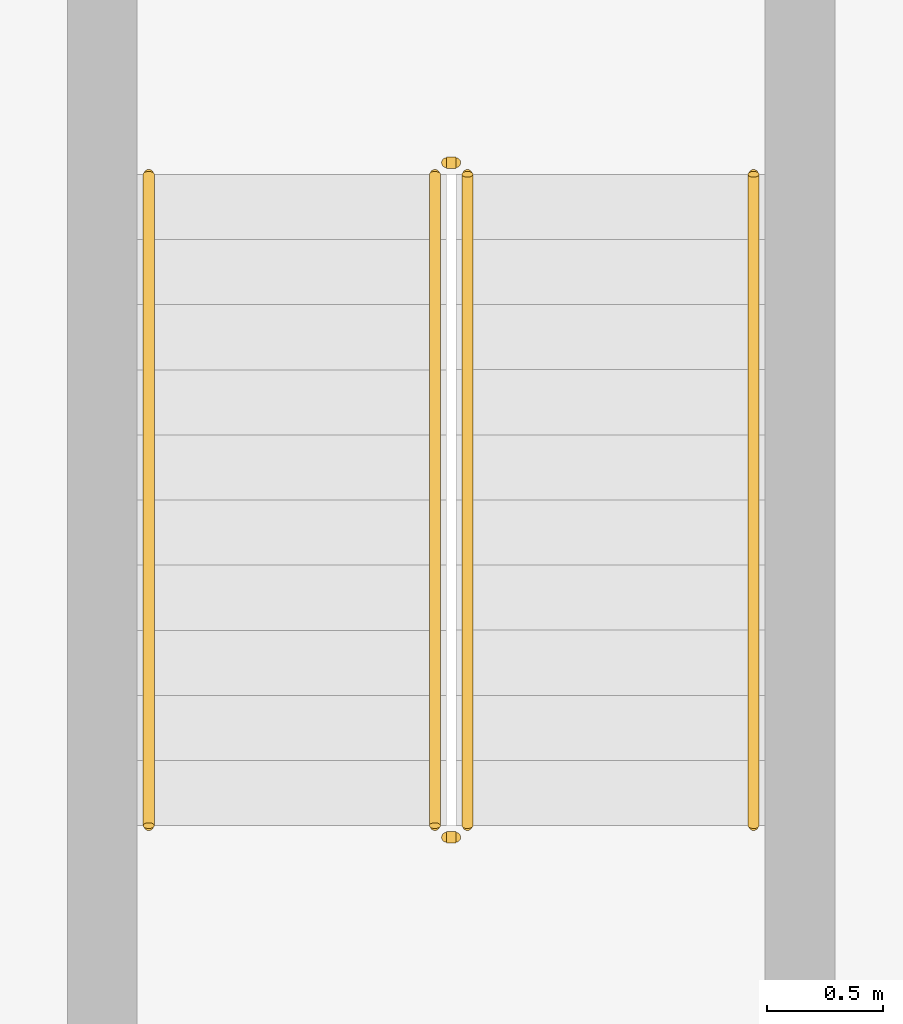
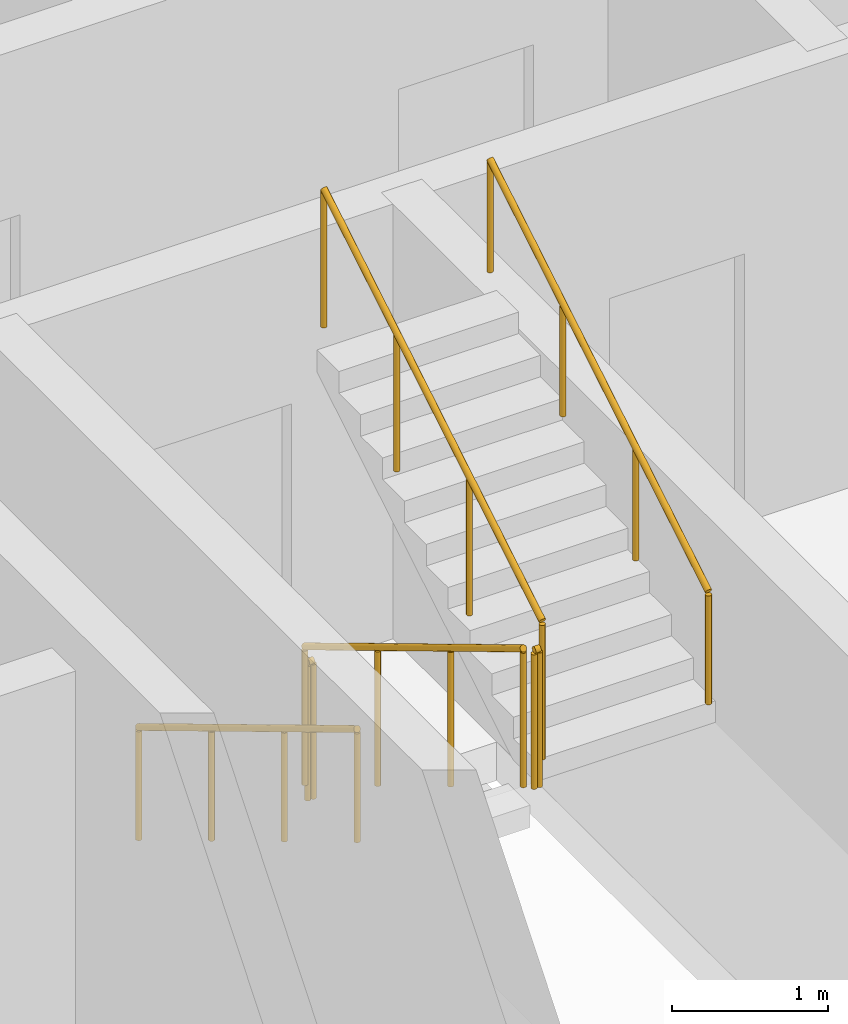
# One storey, part 18 of 18: 6 railings.
"""IFC4 building model written with IfcOpenShell, lengths in metres."""

from ifc_helpers import new_model, si_unit, direction, frame, origin, origin_2d, place, context, subcontext, project, spatial, circle, extrude, material, type_object, element, save


model = new_model("IFC4")

# Units and contexts
model_context = context("Model", 3, precision=1e-05, world=origin(), true_north=direction((0.0, 1.0)))
body_context = subcontext(model_context, "Body", "Model", "MODEL_VIEW")
ifc_project = project(units=[si_unit("LENGTHUNIT", "METRE"), si_unit("AREAUNIT", "SQUARE_METRE"), si_unit("VOLUMEUNIT", "CUBIC_METRE"), si_unit("PLANEANGLEUNIT", "RADIAN"), si_unit("MASSUNIT", "GRAM", prefix="KILO")], contexts=[model_context])

# Site, building, storey
site_placement = place(None, origin())
site = spatial("IfcSite", under=ifc_project, at=site_placement, CompositionType="ELEMENT")
building_placement = place(site_placement, origin())
building = spatial("IfcBuilding", under=site, at=building_placement, Name="Ogive Portal Towers", CompositionType="ELEMENT")
storey_placement = place(building_placement, frame((0.0, 0.0, 240.199951171875)))
storey = spatial("IfcBuildingStorey", under=building, at=storey_placement, Name="L60", CompositionType="ELEMENT", Elevation=240.199951171875)

# Railings
ifc_material_1 = material(Name="Stainless steel balustrade", Category="steel")
railing_type_1 = type_object("IfcRailingType", Name="INT-GUARD", PredefinedType="GUARDRAIL", material=ifc_material_1)
railing_1_placement = place(storey_placement, frame((88.280029296875, 29.169921875, 0.168212890625)))
element("IfcRailing", 1, at=railing_1_placement, inside=storey, type_object=railing_type_1, Name="L60 ST-A4 stair guard 1", PredefinedType="GUARDRAIL", context=body_context, shape_type="SweptSolid", body=[
    extrude(circle(Radius=0.02392578125, at=origin_2d()), frame((0.0, 0.0, 1.076171875), z_axis=(0.0, -0.857222391501, 0.514946377315), x_axis=(1.0, 0.0, 0.0)), (0.0, 0.0, 1.0), 3.26611328125),
    extrude(circle(Radius=0.02099609375, at=origin_2d()), origin(), (0.0, 0.0, 1.0), 1.052001953125),
    extrude(circle(Radius=0.02099609375, at=origin_2d()), frame((0.0, -0.933349609375, 0.560546875)), (0.0, 0.0, 1.0), 1.052001953125),
    extrude(circle(Radius=0.02099609375, at=origin_2d()), frame((0.0, -1.866455078125, 1.121337890625)), (0.0, 0.0, 1.0), 1.052001953125),
    extrude(circle(Radius=0.02099609375, at=origin_2d()), frame((0.0, -2.7998046875, 1.681884765625)), (0.0, 0.0, 1.0), 1.052001953125),
])
railing_2_placement = place(storey_placement, frame((88.330078125, 26.320068359375, 1.85009765625)))
element("IfcRailing", 2, at=railing_2_placement, inside=storey, type_object=railing_type_1, Name="L60 ST-A4 stair guard 2", PredefinedType="GUARDRAIL", context=body_context, shape_type="SweptSolid", body=[
    extrude(circle(Radius=0.02392578125, at=origin_2d()), frame((0.0, 0.0, 1.076171875), z_axis=(1.0, 0.0, 0.0), x_axis=(0.0, 1.0, 0.0)), (0.0, 0.0, 1.0), 0.0400390625),
    extrude(circle(Radius=0.02099609375, at=origin_2d()), origin(), (0.0, 0.0, 1.0), 1.052001953125),
    extrude(circle(Radius=0.02099609375, at=origin_2d()), frame((0.0400390625, 0.0, 0.0)), (0.0, 0.0, 1.0), 1.052001953125),
])
railing_3_placement = place(storey_placement, frame((88.419921875, 26.3701171875, 2.018310546875)))
element("IfcRailing", 3, at=railing_3_placement, inside=storey, type_object=railing_type_1, Name="L60 ST-A4 stair guard 3", PredefinedType="GUARDRAIL", context=body_context, shape_type="SweptSolid", body=[
    extrude(circle(Radius=0.02392578125, at=origin_2d()), frame((0.0, 0.0, 1.076171875), z_axis=(0.0, 0.857255387014, 0.514891446264), x_axis=(-1.0, 0.0, 0.0)), (0.0, 0.0, 1.0), 3.26611328125),
    extrude(circle(Radius=0.02099609375, at=origin_2d()), origin(), (0.0, 0.0, 1.0), 1.052001953125),
    extrude(circle(Radius=0.02099609375, at=origin_2d()), frame((0.0, 0.933349609375, 0.560546875)), (0.0, 0.0, 1.0), 1.052001953125),
    extrude(circle(Radius=0.02099609375, at=origin_2d()), frame((0.0, 1.866455078125, 1.12109375)), (0.0, 0.0, 1.0), 1.052001953125),
    extrude(circle(Radius=0.02099609375, at=origin_2d()), frame((0.0, 2.7998046875, 1.681640625)), (0.0, 0.0, 1.0), 1.052001953125),
])
railing_4_placement = place(storey_placement, frame((88.330078125, 29.219970703125, 0.0)))
element("IfcRailing", 4, at=railing_4_placement, inside=storey, type_object=railing_type_1, Name="L60 ST-A4 stair guard 4", PredefinedType="GUARDRAIL", context=body_context, shape_type="SweptSolid", body=[
    extrude(circle(Radius=0.02392578125, at=origin_2d()), frame((0.0, 0.0, 1.076171875), z_axis=(1.0, 0.0, 0.0), x_axis=(0.0, 1.0, 0.0)), (0.0, 0.0, 1.0), 0.0400390625),
    extrude(circle(Radius=0.02099609375, at=origin_2d()), origin(), (0.0, 0.0, 1.0), 1.052001953125),
    extrude(circle(Radius=0.02099609375, at=origin_2d()), frame((0.0400390625, 0.0, 0.0)), (0.0, 0.0, 1.0), 1.052001953125),
])
ifc_material_2 = material(Name="Stainless steel handrail", Category="steel")
railing_type_2 = type_object("IfcRailingType", Name="INT-HANDRAIL", PredefinedType="HANDRAIL", material=ifc_material_2)
railing_5_placement = place(storey_placement, frame((87.050048828125, 29.169921875, 0.168212890625)))
element("IfcRailing", 5, at=railing_5_placement, inside=storey, type_object=railing_type_2, Name="L60 ST-A4 stair handrail 1", PredefinedType="HANDRAIL", context=body_context, shape_type="SweptSolid", body=[
    extrude(circle(Radius=0.02392578125, at=origin_2d()), frame((0.0, 0.0, 0.8759765625), z_axis=(0.0, -0.857222391501, 0.514946377315), x_axis=(1.0, 0.0, 0.0)), (0.0, 0.0, 1.0), 3.26611328125),
    extrude(circle(Radius=0.02099609375, at=origin_2d()), origin(), (0.0, 0.0, 1.0), 0.851806640625),
    extrude(circle(Radius=0.02099609375, at=origin_2d()), frame((0.0, -0.933349609375, 0.560546875)), (0.0, 0.0, 1.0), 0.851806640625),
    extrude(circle(Radius=0.02099609375, at=origin_2d()), frame((0.0, -1.866455078125, 1.121337890625)), (0.0, 0.0, 1.0), 0.851806640625),
    extrude(circle(Radius=0.02099609375, at=origin_2d()), frame((0.0, -2.7998046875, 1.681884765625)), (0.0, 0.0, 1.0), 0.851806640625),
])
railing_6_placement = place(storey_placement, frame((89.64990234375, 26.3701171875, 2.018310546875)))
element("IfcRailing", 6, at=railing_6_placement, inside=storey, type_object=railing_type_2, Name="L60 ST-A4 stair handrail 2", PredefinedType="HANDRAIL", context=body_context, shape_type="SweptSolid", body=[
    extrude(circle(Radius=0.02392578125, at=origin_2d()), frame((0.0, 0.0, 0.8759765625), z_axis=(0.0, 0.857255387014, 0.514891446264), x_axis=(-1.0, 0.0, 0.0)), (0.0, 0.0, 1.0), 3.26611328125),
    extrude(circle(Radius=0.02099609375, at=origin_2d()), origin(), (0.0, 0.0, 1.0), 0.851806640625),
    extrude(circle(Radius=0.02099609375, at=origin_2d()), frame((0.0, 0.933349609375, 0.560546875)), (0.0, 0.0, 1.0), 0.851806640625),
    extrude(circle(Radius=0.02099609375, at=origin_2d()), frame((0.0, 1.866455078125, 1.12109375)), (0.0, 0.0, 1.0), 0.851806640625),
    extrude(circle(Radius=0.02099609375, at=origin_2d()), frame((0.0, 2.7998046875, 1.681640625)), (0.0, 0.0, 1.0), 0.851806640625),
])

save(model, "model.ifc")
